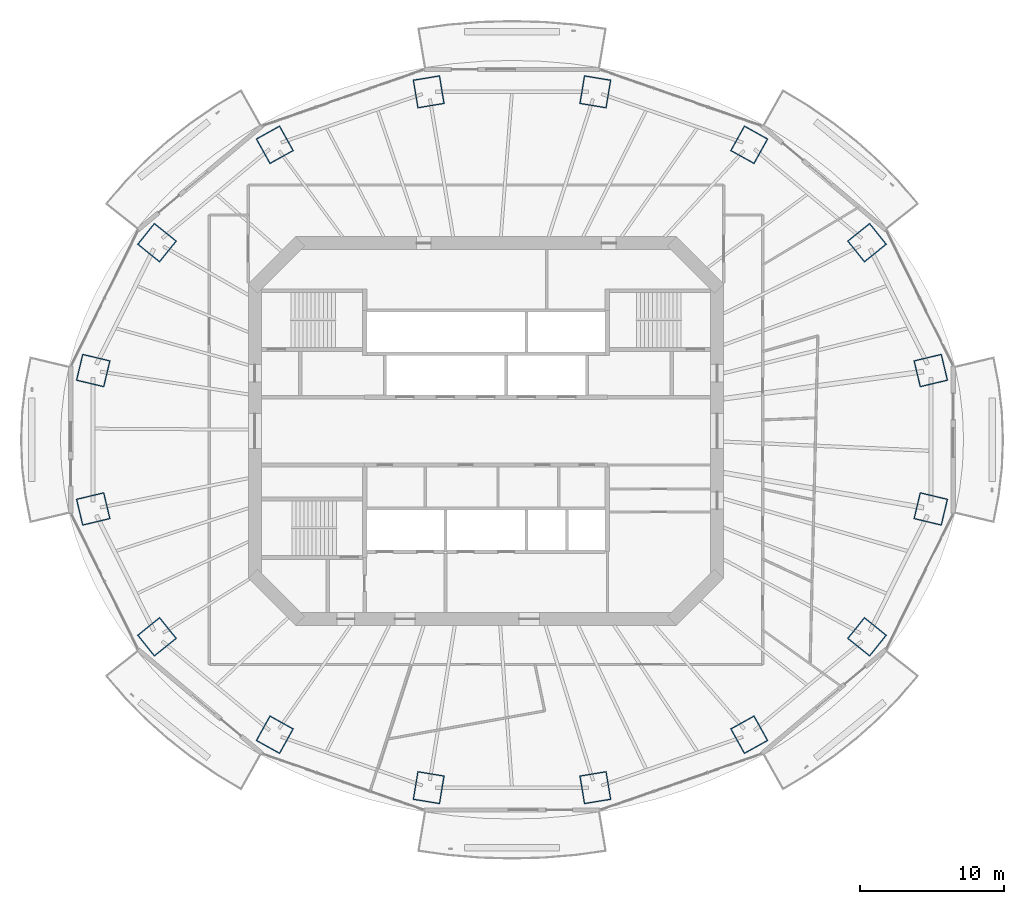
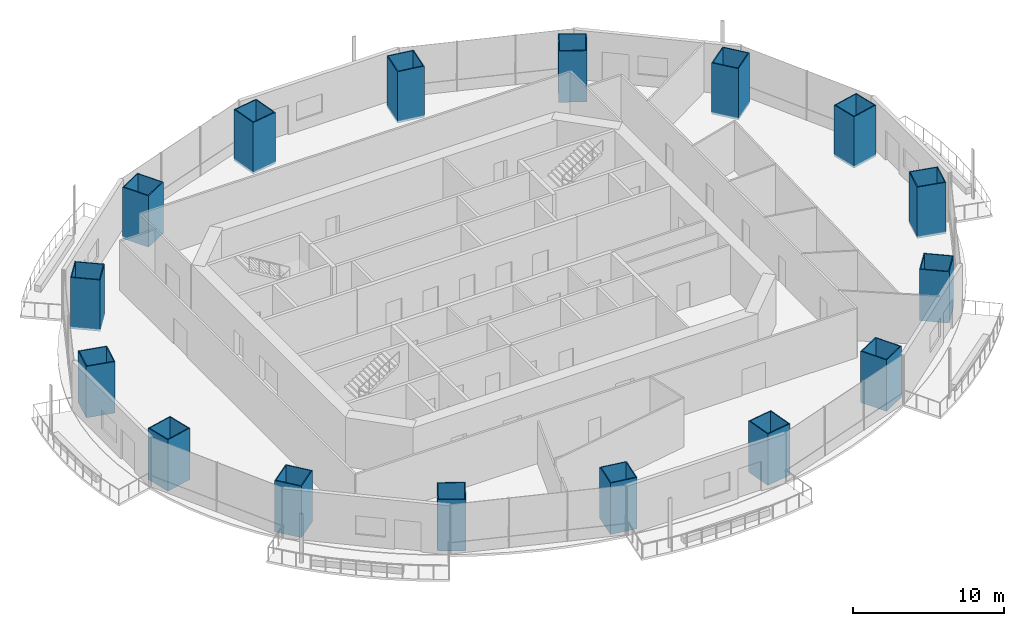
# One storey, part 1 of 20: 16 columns.
"""IFC4 building model written with IfcOpenShell, lengths in metres."""

import ifcopenshell
import ifcopenshell.guid

model = None  # the IFC model being written
_history = None  # IfcOwnerHistory: only IFC2X3 demands one
_inside = {}  # id of a spatial element -> (the spatial element, [elements in it])
_under = {}  # id of a project, library or spatial element -> (it, [spatial elements below it])
_declared = {}  # id of a project -> (the project, [libraries it declares])
_typed = {}  # id of a type object -> (the type object, [elements of that type])
_made_of = {}  # id of a material, layer set ... -> (it, [elements and type objects made of it])


def new_model(schema):
    """Start an empty IFC model of exactly this schema.

    Asked for "IFC4X3", IfcOpenShell would pick the latest addendum, in which some entities
    have other attributes; the version numbers below select the first issue.
    IFC2X3 requires an IfcOwnerHistory on every rooted entity: one is made here for all.
    """
    global model, _history
    if schema == "IFC4X3":
        model = ifcopenshell.file(schema_version=(4, 3, 0, 0))
    else:
        model = ifcopenshell.file(schema=schema)
    _inside.clear()
    _under.clear()
    _declared.clear()
    _typed.clear()
    _made_of.clear()
    _history = None
    if model.schema == "IFC2X3":
        org = make("IfcOrganization", Name="unknown")
        user = make(
            "IfcPersonAndOrganization",
            ThePerson=make("IfcPerson", FamilyName="unknown"),
            TheOrganization=org,
        )
        app = make(
            "IfcApplication",
            ApplicationDeveloper=org,
            Version="unknown",
            ApplicationFullName="unknown",
            ApplicationIdentifier="unknown",
        )
        _history = make(
            "IfcOwnerHistory",
            OwningUser=user,
            OwningApplication=app,
            ChangeAction="ADDED",
            CreationDate=0,
        )
    return model


def make(cls, **values):
    """One entity of the class cls with the attributes given. An attribute that is None is left unset."""
    return model.create_entity(
        cls, **{name: value for name, value in values.items() if value is not None}
    )


def rooted(cls, **values):
    """An entity with a GlobalId (a new one), such as an element, a storey or a relation."""
    return make(cls, GlobalId=ifcopenshell.guid.new(), OwnerHistory=_history, **values)


def si_unit(unit_type, name, prefix=None):
    """IfcSIUnit, for example si_unit("LENGTHUNIT", "METRE", prefix="MILLI")."""
    return make("IfcSIUnit", UnitType=unit_type, Prefix=prefix, Name=name)


def assignment(units):
    """IfcUnitAssignment: the units of a project."""
    return None if units is None else make("IfcUnitAssignment", Units=units)


def point(xyz):
    """IfcCartesianPoint."""
    return None if xyz is None else make("IfcCartesianPoint", Coordinates=xyz)


def direction(xyz):
    """IfcDirection."""
    return None if xyz is None else make("IfcDirection", DirectionRatios=xyz)


def frame(location, z_axis=None, x_axis=None):
    """IfcAxis2Placement3D, a coordinate frame: its origin and axes. An axis left out is left unset."""
    return make(
        "IfcAxis2Placement3D",
        Location=point(location),
        Axis=direction(z_axis),
        RefDirection=direction(x_axis),
    )


def frame_2d(location, x_axis=None):
    """IfcAxis2Placement2D, a coordinate frame in the plane: its origin and x axis."""
    return make(
        "IfcAxis2Placement2D", Location=point(location), RefDirection=direction(x_axis)
    )


def origin():
    """The frame at (0, 0, 0) with its axes left unset."""
    return frame((0.0, 0.0, 0.0))


def origin_2d():
    """The frame at (0, 0) in the plane with its x axis left unset."""
    return frame_2d((0.0, 0.0))


def place(relative_to, where):
    """IfcLocalPlacement: puts the frame where relative to a parent placement (None: the world)."""
    return make(
        "IfcLocalPlacement", PlacementRelTo=relative_to, RelativePlacement=where
    )


def context(
    kind, dimensions, precision=None, world=None, true_north=None, identifier=None
):
    """IfcGeometricRepresentationContext, for example the 3D "Model" context."""
    return make(
        "IfcGeometricRepresentationContext",
        ContextIdentifier=identifier,
        ContextType=kind,
        CoordinateSpaceDimension=dimensions,
        Precision=precision,
        WorldCoordinateSystem=world,
        TrueNorth=true_north,
    )


def subcontext(parent, identifier, kind, view, scale=None):
    """IfcGeometricRepresentationSubContext, for example "Body" below "Model"."""
    return make(
        "IfcGeometricRepresentationSubContext",
        ContextIdentifier=identifier,
        ContextType=kind,
        ParentContext=parent,
        TargetScale=scale,
        TargetView=view,
    )


def project(units=None, contexts=None):
    """IfcProject with its units and contexts."""
    return rooted(
        "IfcProject",
        Name="project",
        RepresentationContexts=contexts,
        UnitsInContext=assignment(units),
    )


def spatial(cls, under=None, at=None, **own):
    """A site, building, storey or space (cls), placed at a placement, below another one or the project."""
    s = rooted(cls, ObjectPlacement=at, **own)
    if under is not None:
        _under.setdefault(under.id(), (under, []))[1].append(s)
    return s


def profile(cls, at=None, kind="AREA", **sizes):
    """A parametric profile (cls). Its sizes go by their IFC names, for example OverallWidth=200.0."""
    return make(cls, ProfileType=kind, Position=at, **sizes)


def rectangle(**sizes):
    """IfcRectangleProfileDef."""
    return profile("IfcRectangleProfileDef", **sizes)


def hollow_rectangle(**sizes):
    """IfcRectangleHollowProfileDef."""
    return profile("IfcRectangleHollowProfileDef", **sizes)


def extrude(swept, where, along, depth):
    """IfcExtrudedAreaSolid: the profile swept, set in the frame where, extruded along a direction by depth."""
    return make(
        "IfcExtrudedAreaSolid",
        SweptArea=swept,
        Position=where,
        ExtrudedDirection=direction(along),
        Depth=depth,
    )


def shape(context_of_items, identifier, shape_type, items):
    """IfcShapeRepresentation: the items that make up one representation, for example the "Body"."""
    return make(
        "IfcShapeRepresentation",
        ContextOfItems=context_of_items,
        RepresentationIdentifier=identifier,
        RepresentationType=shape_type,
        Items=items,
    )


def material(Name=None, Category=None):
    """IfcMaterial."""
    return make("IfcMaterial", Name=Name, Category=Category)


def material_profile(
    of_material, cross_section, Name=None, Category=None, Priority=None
):
    """IfcMaterialProfile: a cross section and its material."""
    return make(
        "IfcMaterialProfile",
        Name=Name,
        Material=of_material,
        Profile=cross_section,
        Priority=Priority,
        Category=Category,
    )


def profile_set(profiles, Name=None, composite=None):
    """IfcMaterialProfileSet."""
    return make(
        "IfcMaterialProfileSet",
        Name=Name,
        MaterialProfiles=profiles,
        CompositeProfile=composite,
    )


def made_of(thing, what):
    """Note that an element or type object is made of a material, layer set ...; save() writes the relation."""
    if what is not None:
        _made_of.setdefault(what.id(), (what, []))[1].append(thing)
    return thing


def type_object(cls, material=None, **own):
    """A type object (cls), such as IfcWallType, which elements share."""
    return made_of(rooted(cls, **own), material)


def element(
    cls,
    number,
    at=None,
    inside=None,
    cuts=None,
    type_object=None,
    material=None,
    context=None,
    identifier="Body",
    shape_type=None,
    held_by="IfcProductDefinitionShape",
    body=None,
    shapes=None,
    **own,
):
    """One element of the class cls, such as IfcWall. Its Tag is "e" and its number.

    at: its placement. inside: the storey or other place that contains it. cuts: it is an
    opening in that element (IfcRelVoidsElement). A single representation is given by context,
    identifier, shape_type and body (its items); several are given by shapes. held_by: the class
    of the entity that holds the representations. save() writes the other relations.
    """
    e = rooted(cls, Tag="e%d" % number, ObjectPlacement=at, **own)
    if body is not None:
        shapes = [shape(context, identifier, shape_type, body)]
    if shapes is not None:
        e.Representation = make(held_by, Representations=shapes)
    if inside is not None:
        _inside.setdefault(inside.id(), (inside, []))[1].append(e)
    if cuts is not None:
        rooted(
            "IfcRelVoidsElement", RelatingBuildingElement=cuts, RelatedOpeningElement=e
        )
    if type_object is not None:
        _typed.setdefault(type_object.id(), (type_object, []))[1].append(e)
    return made_of(e, material)


def aggregate(whole, parts):
    """IfcRelAggregates: a whole, such as a stair, and the parts it consists of."""
    return rooted("IfcRelAggregates", RelatingObject=whole, RelatedObjects=parts)


def save(model, path):
    """Write the relations noted so far, then the file.

    IfcRelAggregates (storeys below a building ...), IfcRelContainedInSpatialStructure (elements
    in a storey), IfcRelDefinesByType, IfcRelAssociatesMaterial and IfcRelDeclares: one each for
    every whole, place, type object, material and project.
    """
    for whole, parts in _under.values():
        aggregate(whole, parts)
    for where, things in _inside.values():
        rooted(
            "IfcRelContainedInSpatialStructure",
            RelatedElements=things,
            RelatingStructure=where,
        )
    for kind, things in _typed.values():
        rooted("IfcRelDefinesByType", RelatedObjects=things, RelatingType=kind)
    for what, things in _made_of.values():
        rooted("IfcRelAssociatesMaterial", RelatedObjects=things, RelatingMaterial=what)
    for by, libraries in _declared.values():
        rooted("IfcRelDeclares", RelatingContext=by, RelatedDefinitions=libraries)
    model.write(path)


model = new_model("IFC4")

# Units and contexts
model_context = context("Model", 3, precision=1e-05, world=origin(), true_north=direction((0.0, 1.0)))
body_context = subcontext(model_context, "Body", "Model", "MODEL_VIEW")
ifc_project = project(units=[si_unit("LENGTHUNIT", "METRE"), si_unit("AREAUNIT", "SQUARE_METRE"), si_unit("VOLUMEUNIT", "CUBIC_METRE"), si_unit("PLANEANGLEUNIT", "RADIAN"), si_unit("MASSUNIT", "GRAM", prefix="KILO")], contexts=[model_context])

# Site, building, storey
site_placement = place(None, origin())
site = spatial("IfcSite", under=ifc_project, at=site_placement, CompositionType="ELEMENT")
building_placement = place(site_placement, origin())
building = spatial("IfcBuilding", under=site, at=building_placement, Name="Marenthal Gate Tower", CompositionType="ELEMENT")
storey_placement = place(building_placement, frame((0.0, 0.0, 215.0)))
storey = spatial("IfcBuildingStorey", under=building, at=storey_placement, Name="L47", CompositionType="ELEMENT", Elevation=215.0)

# Columns
ifc_material_1 = material(Name="Steel S460", Category="steel")
ifc_material_profile_1 = material_profile(ifc_material_1, hollow_rectangle(XDim=1.89990234375, YDim=2.0, WallThickness=0.070068359375, at=origin_2d()), Name="CFT BOX 2000X1900X70")
ifc_material_2 = material(Name="Concrete 70 MPa", Category="concrete")
ifc_material_profile_2 = material_profile(ifc_material_2, rectangle(XDim=1.760009765625, YDim=1.860107421875, at=origin_2d()), Name="CFT BOX 2000X1900X70 INFILL")
ifc_profile_set = profile_set([ifc_material_profile_1, ifc_material_profile_2], Name="Steel S460 shell, Concrete 70 MPa infill")
column_type = type_object("IfcColumnType", Name="CFT BOX 2000X1900X70", PredefinedType="COLUMN", material=ifc_profile_set)
for number, where, z_axis, x_axis, name in (
    (1, (30.7822265625, 4.189453125, -0.179931640625), (0.0, 0.0, 1.0), (0.232842846574, -0.972514374598, 0.0), "COL-L47-01"),
    (2, (26.369873046875, 13.039306640625, -0.179931640625), (0.0, 0.0, 1.0), (0.626719421583, -0.779244997809, 0.0), "COL-L47-02"),
    (3, (18.217041015625, 19.8125, -0.179931640625), (0.0, 0.0, 1.0), (0.874319155172, -0.485351434426, 0.0), "COL-L47-03"),
    (4, (7.56494140625, 23.478271484375, -0.179931640625), (0.0, 0.0, 1.0), (0.986618870634, -0.163043565061, 0.0), "COL-L47-04"),
    (5, (-3.96484375, 23.478271484375, -0.179931640625), (0.0, 0.0, 1.0), (0.986618870634, 0.163043565061, 0.0), "COL-L47-05"),
    (6, (-14.6171875, 19.8125, -0.179931640625), (0.0, 0.0, 1.0), (0.874319155172, 0.485351434426, 0.0), "COL-L47-06"),
    (7, (-22.77001953125, 13.039306640625, -0.179931640625), (0.0, 0.0, 1.0), (0.626719421583, 0.779244997809, 0.0), "COL-L47-07"),
    (8, (-27.18212890625, 4.189453125, -0.179931640625), (0.0, 0.0, 1.0), (0.232842846574, 0.972514374598, 0.0), "COL-L47-08"),
    (9, (-27.18212890625, -5.389404296875, -0.179931640625), (0.0, 0.0, 1.0), (-0.232842846574, 0.972514374598, 0.0), "COL-L47-09"),
    (10, (-22.77001953125, -14.2392578125, -0.179931640625), (0.0, 0.0, 1.0), (-0.626719421583, 0.779244997809, 0.0), "COL-L47-10"),
    (11, (-14.6171875, -21.0126953125, -0.179931640625), (0.0, 0.0, 1.0), (-0.874319155172, 0.485351434426, 0.0), "COL-L47-11"),
    (12, (-3.96484375, -24.67822265625, -0.179931640625), (0.0, 0.0, 1.0), (-0.986618870634, 0.163043565061, 0.0), "COL-L47-12"),
    (13, (7.56494140625, -24.67822265625, -0.179931640625), (0.0, 0.0, 1.0), (-0.986618870634, -0.163043565061, 0.0), "COL-L47-13"),
    (14, (18.217041015625, -21.0126953125, -0.179931640625), (0.0, 0.0, 1.0), (-0.874319155172, -0.485351434426, 0.0), "COL-L47-14"),
    (15, (26.369873046875, -14.2392578125, -0.179931640625), (0.0, 0.0, 1.0), (-0.626719421583, -0.779244997809, 0.0), "COL-L47-15"),
    (16, (30.7822265625, -5.389404296875, -0.179931640625), (0.0, 0.0, 1.0), (-0.232842846574, -0.972514374598, 0.0), "COL-L47-16"),
):
    element("IfcColumn", number, at=place(storey_placement, frame(where, z_axis=z_axis, x_axis=x_axis)), inside=storey, type_object=column_type, Name=name, PredefinedType="COLUMN", context=body_context, shape_type="SweptSolid", body=[
        extrude(hollow_rectangle(XDim=1.89990234375, YDim=2.0, WallThickness=0.070068359375, at=origin_2d()), origin(), (0.0, 0.0, 1.0), 4.14990234375),
    ])

save(model, "model.ifc")
